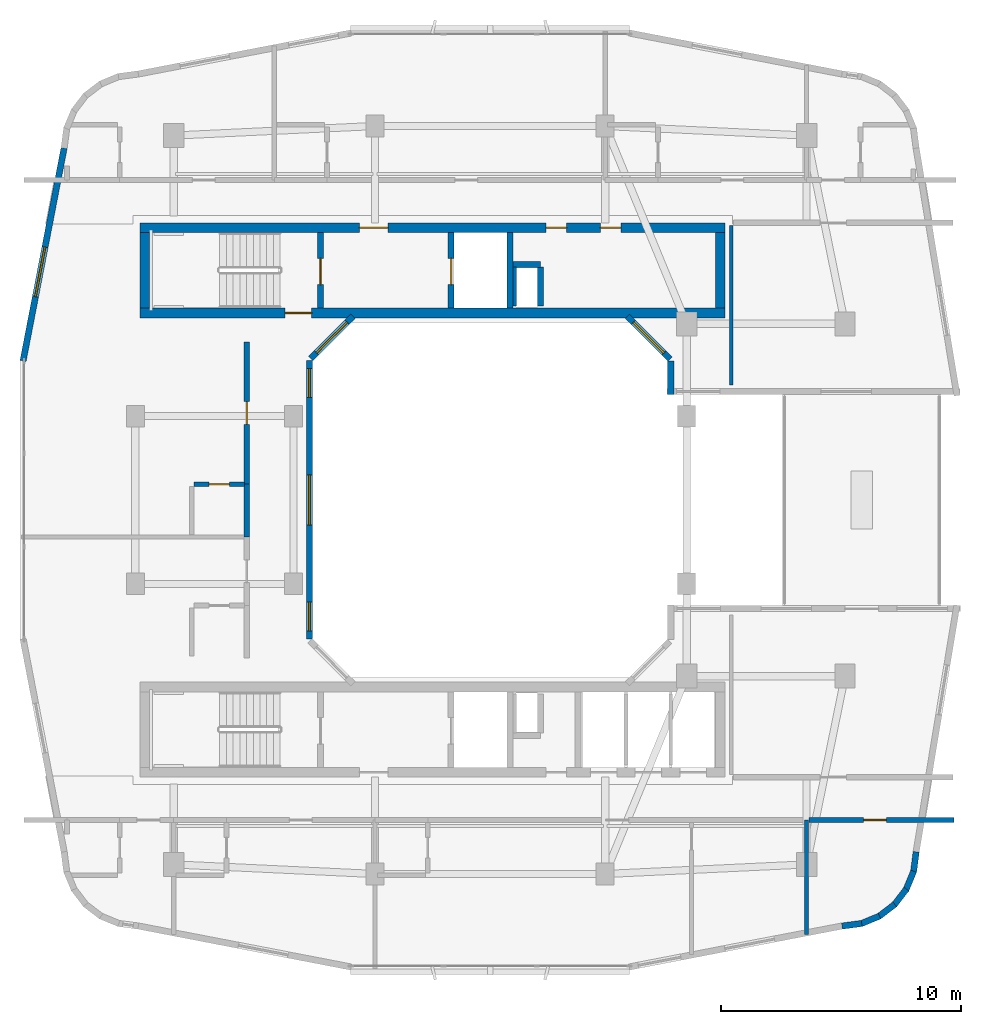
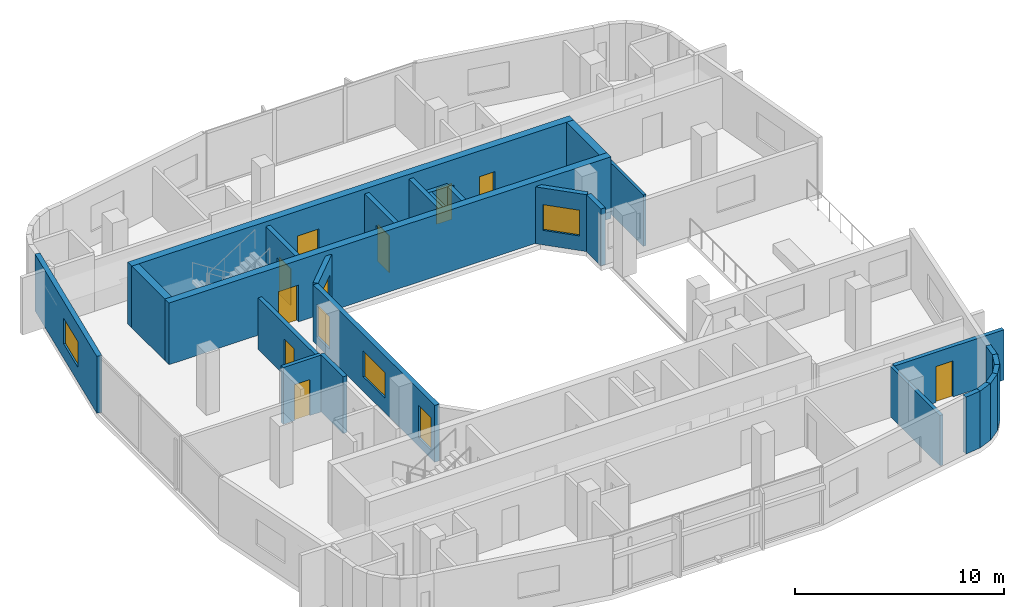
# One storey, part 6 of 12: 27 walls, 9 doors, 6 windows, 15 openings.
"""IFC4 building model written with IfcOpenShell, lengths in metres."""

from ifc_helpers import new_model, si_unit, derived_unit, direction, frame, frame_2d, origin, place, context, subcontext, project, spatial, rectangle, extrude, material, layer, layer_set, type_object, element, fill, save


model = new_model("IFC4")

# Units and contexts
model_context = context("Model", 3, precision=1e-05, world=origin(), true_north=direction((0.0, 1.0)))
body_context = subcontext(model_context, "Body", "Model", "MODEL_VIEW")
ifc_project = project(units=[si_unit("LENGTHUNIT", "METRE"), si_unit("AREAUNIT", "SQUARE_METRE"), si_unit("VOLUMEUNIT", "CUBIC_METRE"), si_unit("PLANEANGLEUNIT", "RADIAN"), si_unit("MASSUNIT", "GRAM", prefix="KILO"), derived_unit("THERMALTRANSMITTANCEUNIT", [(si_unit("POWERUNIT", "WATT"), 1), (si_unit("LENGTHUNIT", "METRE"), -2), (si_unit("THERMODYNAMICTEMPERATUREUNIT", "KELVIN"), -1)])], contexts=[model_context])

# Site, building, storey
site_placement = place(None, origin())
site = spatial("IfcSite", under=ifc_project, at=site_placement, CompositionType="ELEMENT")
building_placement = place(site_placement, origin())
building = spatial("IfcBuilding", under=site, at=building_placement, Name="Kivonza Crest Hotel", CompositionType="ELEMENT")
storey_placement = place(building_placement, frame((0.0, 0.0, 177.5)))
storey = spatial("IfcBuildingStorey", under=building, at=storey_placement, Name="L48", CompositionType="ELEMENT", Elevation=177.5)

# Wall
ifc_material_1 = material(Name="High-density acoustic masonry inter-tenancy wall", Category="masonry")
ifc_layer_1 = layer(ifc_material_1, 0.179931640625)
ifc_layer_set_1 = layer_set([ifc_layer_1], Name="High-density acoustic masonry inter-tenancy wall")
wall_type_1 = type_object("IfcWallType", Name="WL-ACOU-180", PredefinedType="SOLIDWALL", material=ifc_layer_set_1)
wall_1_placement = place(storey_placement, frame((34.199951171875, 6.8720703125, 0.0), z_axis=(0.0, 0.0, 1.0), x_axis=(0.0, 1.0, 0.0)))
element("IfcWall", 1, at=wall_1_placement, inside=storey, type_object=wall_type_1, Name="L48 interior partition WA-L48-T1S-DIV3", PredefinedType="SOLIDWALL", context=body_context, shape_type="SweptSolid", body=[
    extrude(rectangle(XDim=4.77783203125, YDim=0.179931640625, at=frame_2d((2.388916015625, 0.0))), origin(), (0.0, 0.0, 1.0), 2.93505859375),
])

# Wall, opening, door
ifc_material_2 = material(Name="Autoclaved aerated concrete blockwork", Category="masonry")
ifc_layer_2 = layer(ifc_material_2, 0.219970703125)
ifc_layer_set_2 = layer_set([ifc_layer_2], Name="Autoclaved aerated concrete blockwork")
wall_type_2 = type_object("IfcWallType", Name="WL-ACOU-220", PredefinedType="SOLIDWALL", material=ifc_layer_set_2)
wall_2_placement = place(storey_placement, frame((34.300048828125, 11.64990234375, 0.0), z_axis=(0.0, 0.0, 1.0), x_axis=(1.0, 0.0, 0.0)))
wall_2 = element("IfcWall", 2, at=wall_2_placement, inside=storey, type_object=wall_type_2, Name="L48 interior partition WA-L48-BUS-MTG-N", PredefinedType="SOLIDWALL", context=body_context, shape_type="SweptSolid", body=[
    extrude(rectangle(XDim=6.0400390625, YDim=0.219970703125, at=frame_2d((3.02001953125, 0.0))), origin(), (0.0, 0.0, 1.0), 2.93505859375),
])
opening_1_placement = place(wall_2_placement, frame((2.280029296875, 0.0, 0.0)))
opening_1 = element("IfcOpeningElement", 3, at=opening_1_placement, cuts=wall_2, Name="Opening DF-60S", PredefinedType="OPENING", context=body_context, shape_type="SweptSolid", body=[
    extrude(rectangle(XDim=0.949951171875, YDim=2.10009765625, at=frame_2d((0.47509765625, 1.050048828125))), frame((0.0, 0.1201171875, 0.0), z_axis=(0.0, -1.0, 0.0), x_axis=(1.0, 0.0, 0.0)), (0.0, 0.0, 1.0), 0.239990234375),
])
ifc_material_3 = material(Name="Hardwood timber oak", Category="wood")
door_type_1 = type_object("IfcDoorType", Name="DR-FD60-950", OperationType="NOTDEFINED", PredefinedType="DOOR", material=ifc_material_3)
door_1_placement = place(opening_1_placement, frame((0.949951171875, 0.0, 0.0), z_axis=(0.0, 0.0, 1.0), x_axis=(-1.0, 0.0, 0.0)))
door_1 = element("IfcDoor", 4, at=door_1_placement, inside=storey, type_object=door_type_1, Name="L48 Guest Business Office door", OperationType="SINGLE_SWING_RIGHT", OverallHeight=2.10009765625, OverallWidth=0.949951171875, PredefinedType="DOOR", context=body_context, shape_type="SweptSolid", body=[
    extrude(rectangle(XDim=0.949951171875, YDim=2.10009765625, at=frame_2d((0.47509765625, 1.050048828125))), frame((0.0, 0.02490234375, 0.0), z_axis=(0.0, -1.0, 0.0), x_axis=(1.0, 0.0, 0.0)), (0.0, 0.0, 1.0), 0.050048828125),
])
fill(opening_1, door_1)

# Wall
wall_3_placement = place(storey_placement, frame((10.85009765625, 23.4599609375, 0.0), z_axis=(0.0, 0.0, 1.0), x_axis=(0.0, 1.0, 0.0)))
element("IfcWall", 5, at=wall_3_placement, inside=storey, type_object=wall_type_2, Name="L48 interior partition WA-L48-W09-BCORR", PredefinedType="SOLIDWALL", context=body_context, shape_type="SweptSolid", body=[
    extrude(rectangle(XDim=2.199951171875, YDim=0.219970703125, at=frame_2d((1.10009765625, 0.0))), origin(), (0.0, 0.0, 1.0), 3.320068359375),
])

# Wall, opening, door
wall_4_placement = place(storey_placement, frame((10.85009765625, 25.659912109375, 0.0), z_axis=(0.0, 0.0, 1.0), x_axis=(0.0, 1.0, 0.0)))
wall_4 = element("IfcWall", 6, at=wall_4_placement, inside=storey, type_object=wall_type_2, Name="L48 interior partition WA-L48-W09-MCORR", PredefinedType="SOLIDWALL", context=body_context, shape_type="SweptSolid", body=[
    extrude(rectangle(XDim=5.940185546875, YDim=0.219970703125, at=frame_2d((2.97021484375, 0.0))), origin(), (0.0, 0.0, 1.0), 2.9951171875),
])
opening_2_placement = place(wall_4_placement, frame((2.4951171875, 0.0, 0.0)))
opening_2 = element("IfcOpeningElement", 7, at=opening_2_placement, cuts=wall_4, Name="Opening DU-60", PredefinedType="OPENING", context=body_context, shape_type="SweptSolid", body=[
    extrude(rectangle(XDim=0.949951171875, YDim=2.10009765625, at=frame_2d((0.47509765625, 1.050048828125))), frame((0.0, 0.1201171875, 0.0), z_axis=(0.0, -1.0, 0.0), x_axis=(1.0, 0.0, 0.0)), (0.0, 0.0, 1.0), 0.239990234375),
])
door_type_2 = type_object("IfcDoorType", Name="DR-UNIT-950", OperationType="NOTDEFINED", PredefinedType="DOOR", material=ifc_material_3)
door_2_placement = place(opening_2_placement, origin())
door_2 = element("IfcDoor", 8, at=door_2_placement, inside=storey, type_object=door_type_2, Name="L48 W09 guest unit entrance fire door", OperationType="SINGLE_SWING_LEFT", OverallHeight=2.10009765625, OverallWidth=0.949951171875, PredefinedType="DOOR", context=body_context, shape_type="SweptSolid", body=[
    extrude(rectangle(XDim=0.949951171875, YDim=2.10009765625, at=frame_2d((0.47509765625, 1.050048828125))), frame((0.0, 0.02490234375, 0.0), z_axis=(0.0, -1.0, 0.0), x_axis=(1.0, 0.0, 0.0)), (0.0, 0.0, 1.0), 0.050048828125),
])
fill(opening_2, door_2)

ifc_material_4 = material(Name="Concrete C50/60", Category="concrete")
ifc_layer_3 = layer(ifc_material_4, 0.39990234375)
ifc_layer_set_3 = layer_set([ifc_layer_3], Name="Concrete C50/60")
wall_type_3 = type_object("IfcWallType", Name="WL-CORE-400", PredefinedType="SHEAR", material=ifc_layer_set_3)
wall_5_placement = place(storey_placement, frame((6.39990234375, 32.800048828125, 0.0), z_axis=(0.0, 0.0, 1.0), x_axis=(1.0, 0.0, 0.0)))
wall_5 = element("IfcWall", 9, at=wall_5_placement, inside=storey, type_object=wall_type_3, Name="Core wall T1-N South L48", PredefinedType="SHEAR", context=body_context, shape_type="SweptSolid", body=[
    extrude(rectangle(XDim=24.400146484375, YDim=0.39990234375, at=frame_2d((12.2001953125, 0.0))), origin(), (0.0, 0.0, 1.0), 3.60009765625),
])
opening_3_placement = place(wall_5_placement, frame((6.050048828125, 0.0, 0.0)))
opening_3 = element("IfcOpeningElement", 10, at=opening_3_placement, cuts=wall_5, Name="Opening DF-120", PredefinedType="OPENING", context=body_context, shape_type="SweptSolid", body=[
    extrude(rectangle(XDim=1.10009765625, YDim=2.14990234375, at=frame_2d((0.550048828125, 1.074951171875))), frame((0.0, 0.2099609375, 0.0), z_axis=(0.0, -1.0, 0.0), x_axis=(1.0, 0.0, 0.0)), (0.0, 0.0, 1.0), 0.419921875),
])
ifc_material_5 = material(Name="Galvanised steel", Category="steel")
door_type_3 = type_object("IfcDoorType", Name="DR-FD120-1100", OperationType="NOTDEFINED", PredefinedType="DOOR", material=ifc_material_5)
door_3_placement = place(opening_3_placement, origin())
door_3 = element("IfcDoor", 11, at=door_3_placement, inside=storey, type_object=door_type_3, Name="L48 West corridor stair access fire door", OperationType="SINGLE_SWING_LEFT", OverallHeight=2.14990234375, OverallWidth=1.10009765625, PredefinedType="DOOR", context=body_context, shape_type="SweptSolid", body=[
    extrude(rectangle(XDim=1.10009765625, YDim=2.14990234375, at=frame_2d((0.550048828125, 1.074951171875))), frame((0.0, 0.02490234375, 0.0), z_axis=(0.0, -1.0, 0.0), x_axis=(1.0, 0.0, 0.0)), (0.0, 0.0, 1.0), 0.050048828125),
])
fill(opening_3, door_3)

# Wall, openings, doors
wall_6_placement = place(storey_placement, frame((6.39990234375, 36.360107421875, 0.0), z_axis=(0.0, 0.0, 1.0), x_axis=(1.0, 0.0, 0.0)))
wall_6 = element("IfcWall", 12, at=wall_6_placement, inside=storey, type_object=wall_type_3, Name="Core wall T1-N North L48", PredefinedType="SHEAR", context=body_context, shape_type="SweptSolid", body=[
    extrude(rectangle(XDim=24.400146484375, YDim=0.39990234375, at=frame_2d((12.2001953125, 0.0))), origin(), (0.0, 0.0, 1.0), 3.60009765625),
])
opening_4_placement = place(wall_6_placement, frame((9.14990234375, 0.0, 0.0)))
opening_4 = element("IfcOpeningElement", 13, at=opening_4_placement, cuts=wall_6, Name="Opening DF-60", PredefinedType="OPENING", context=body_context, shape_type="SweptSolid", body=[
    extrude(rectangle(XDim=1.199951171875, YDim=2.14990234375, at=frame_2d((0.60009765625, 1.074951171875))), frame((0.0, 0.2099609375, 0.0), z_axis=(0.0, -1.0, 0.0), x_axis=(1.0, 0.0, 0.0)), (0.0, 0.0, 1.0), 0.419921875),
])
opening_5_placement = place(wall_6_placement, frame((19.199951171875, 0.0, 0.0)))
opening_5 = element("IfcOpeningElement", 14, at=opening_5_placement, cuts=wall_6, Name="Opening DF-60R", PredefinedType="OPENING", context=body_context, shape_type="SweptSolid", body=[
    extrude(rectangle(XDim=0.85009765625, YDim=2.10009765625, at=frame_2d((0.425048828125, 1.050048828125))), frame((0.0, 0.2099609375, 0.0), z_axis=(0.0, -1.0, 0.0), x_axis=(1.0, 0.0, 0.0)), (0.0, 0.0, 1.0), 0.419921875),
])
opening_6_placement = place(wall_6_placement, frame((16.93994140625, 0.0, 0.0)))
opening_6 = element("IfcOpeningElement", 15, at=opening_6_placement, cuts=wall_6, Name="Opening DF-60R", PredefinedType="OPENING", context=body_context, shape_type="SweptSolid", body=[
    extrude(rectangle(XDim=0.85009765625, YDim=2.10009765625, at=frame_2d((0.425048828125, 1.050048828125))), frame((0.0, 0.2099609375, 0.0), z_axis=(0.0, -1.0, 0.0), x_axis=(1.0, 0.0, 0.0)), (0.0, 0.0, 1.0), 0.419921875),
])
door_type_4 = type_object("IfcDoorType", Name="DR-FD60-1200", OperationType="NOTDEFINED", PredefinedType="DOOR", material=ifc_material_3)
door_4_placement = place(opening_4_placement, origin())
door_4 = element("IfcDoor", 16, at=door_4_placement, inside=storey, type_object=door_type_4, Name="L48 T1-N firefighting lobby fire door", OperationType="SINGLE_SWING_RIGHT", OverallHeight=2.14990234375, OverallWidth=1.199951171875, PredefinedType="DOOR", context=body_context, shape_type="SweptSolid", body=[
    extrude(rectangle(XDim=1.199951171875, YDim=2.14990234375, at=frame_2d((0.60009765625, 1.074951171875))), frame((0.0, 0.02490234375, 0.0), z_axis=(0.0, -1.0, 0.0), x_axis=(1.0, 0.0, 0.0)), (0.0, 0.0, 1.0), 0.050048828125),
])
fill(opening_4, door_4)
door_type_5 = type_object("IfcDoorType", Name="DR-FD60-850", OperationType="NOTDEFINED", PredefinedType="DOOR", material=ifc_material_3)
door_5_placement = place(opening_5_placement, origin())
door_5 = element("IfcDoor", 17, at=door_5_placement, inside=storey, type_object=door_type_5, Name="L48 T1-N reclaimed core service door", OperationType="SINGLE_SWING_LEFT", OverallHeight=2.10009765625, OverallWidth=0.85009765625, PredefinedType="DOOR", context=body_context, shape_type="SweptSolid", body=[
    extrude(rectangle(XDim=0.85009765625, YDim=2.10009765625, at=frame_2d((0.425048828125, 1.050048828125))), frame((0.0, 0.02490234375, 0.0), z_axis=(0.0, -1.0, 0.0), x_axis=(1.0, 0.0, 0.0)), (0.0, 0.0, 1.0), 0.050048828125),
])
fill(opening_5, door_5)
door_6_placement = place(opening_6_placement, origin())
door_6 = element("IfcDoor", 18, at=door_6_placement, inside=storey, type_object=door_type_5, Name="L48 T1-N core room door", OperationType="SINGLE_SWING_RIGHT", OverallHeight=2.10009765625, OverallWidth=0.85009765625, PredefinedType="DOOR", context=body_context, shape_type="SweptSolid", body=[
    extrude(rectangle(XDim=0.85009765625, YDim=2.10009765625, at=frame_2d((0.425048828125, 1.050048828125))), frame((0.0, 0.02490234375, 0.0), z_axis=(0.0, -1.0, 0.0), x_axis=(1.0, 0.0, 0.0)), (0.0, 0.0, 1.0), 0.050048828125),
])
fill(opening_6, door_6)

# Walls
for number, where, z_axis, x_axis, name in (
    (19, (6.60009765625, 33.0, 0.0), (0.0, 0.0, 1.0), (0.0, 1.0, 0.0), "Core wall T1-N West L48"),
    (20, (30.60009765625, 33.0, 0.0), (0.0, 0.0, 1.0), (0.0, 1.0, 0.0), "Core wall T1-N East L48"),
):
    element("IfcWall", number, at=place(storey_placement, frame(where, z_axis=z_axis, x_axis=x_axis)), inside=storey, type_object=wall_type_3, Name=name, PredefinedType="SHEAR", context=body_context, shape_type="SweptSolid", body=[
        extrude(rectangle(XDim=3.159912109375, YDim=0.39990234375, at=frame_2d((1.580078125, 0.0))), origin(), (0.0, 0.0, 1.0), 3.60009765625),
    ])
ifc_material_6 = material(Name="Precast concrete C40/50", Category="concrete")
ifc_layer_4 = layer(ifc_material_6, 0.260009765625)
ifc_layer_set_4 = layer_set([ifc_layer_4], Name="Precast concrete C40/50")
wall_type_4 = type_object("IfcWallType", Name="WL-EXT-260", PredefinedType="STANDARD", material=ifc_layer_set_4)
wall_7_placement = place(storey_placement, frame((35.675048828125, 7.22802734375, 0.0), z_axis=(0.0, 0.0, 1.0), x_axis=(0.99142134712, 0.130704676564, 0.0)))
element("IfcWall", 21, at=wall_7_placement, inside=storey, type_object=wall_type_4, Name="L48 T1 exterior insulated wall 10", PredefinedType="STANDARD", context=body_context, shape_type="SweptSolid", body=[
    extrude(rectangle(XDim=0.8330078125, YDim=0.260009765625, at=frame_2d((0.41650390625, 0.0))), origin(), (0.0, 0.0, 1.0), 3.320068359375),
])
wall_8_placement = place(storey_placement, frame((36.455078125, 7.319091796875, 0.0), z_axis=(0.0, 0.0, 1.0), x_axis=(0.923712395518, 0.383086687796, 0.0)))
element("IfcWall", 22, at=wall_8_placement, inside=storey, type_object=wall_type_4, Name="L48 T1 exterior insulated wall 11", PredefinedType="STANDARD", context=body_context, shape_type="SweptSolid", body=[
    extrude(rectangle(XDim=0.850830078125, YDim=0.260009765625, at=frame_2d((0.42529296875, 0.0))), origin(), (0.0, 0.0, 1.0), 3.320068359375),
])
for number, where, z_axis, x_axis, name in (
    (23, (37.200927734375, 7.616943359375, 0.0), (0.0, 0.0, 1.0), (0.793860452124, 0.608099977432, 0.0), "L48 T1 exterior insulated wall 12"),
    (24, (37.844970703125, 8.095947265625, 0.0), (0.0, 0.0, 1.0), (0.608099977432, 0.793860452124, 0.0), "L48 T1 exterior insulated wall 13"),
):
    element("IfcWall", number, at=place(storey_placement, frame(where, z_axis=z_axis, x_axis=x_axis)), inside=storey, type_object=wall_type_4, Name=name, PredefinedType="STANDARD", context=body_context, shape_type="SweptSolid", body=[
        extrude(rectangle(XDim=0.850341796875, YDim=0.260009765625, at=frame_2d((0.42529296875, 0.0))), origin(), (0.0, 0.0, 1.0), 3.320068359375),
    ])
wall_9_placement = place(storey_placement, frame((38.341064453125, 8.72705078125, 0.0), z_axis=(0.0, 0.0, 1.0), x_axis=(0.383086687796, 0.923712395518, 0.0)))
element("IfcWall", 25, at=wall_9_placement, inside=storey, type_object=wall_type_4, Name="L48 T1 exterior insulated wall 14", PredefinedType="STANDARD", context=body_context, shape_type="SweptSolid", body=[
    extrude(rectangle(XDim=0.850830078125, YDim=0.260009765625, at=frame_2d((0.42529296875, 0.0))), origin(), (0.0, 0.0, 1.0), 3.320068359375),
])
wall_10_placement = place(storey_placement, frame((38.658935546875, 9.464111328125, 0.0), z_axis=(0.0, 0.0, 1.0), x_axis=(0.130192647656, 0.991488716273, 0.0)))
element("IfcWall", 26, at=wall_10_placement, inside=storey, type_object=wall_type_4, Name="L48 T1 exterior insulated wall 15", PredefinedType="STANDARD", context=body_context, shape_type="SweptSolid", body=[
    extrude(rectangle(XDim=0.8681640625, YDim=0.260009765625, at=frame_2d((0.43408203125, 0.0))), origin(), (0.0, 0.0, 1.0), 3.320068359375),
])

# Wall, openings, windows
wall_11_placement = place(storey_placement, frame((13.469970703125, 19.2099609375, 0.0), z_axis=(0.0, 0.0, 1.0), x_axis=(0.0, 1.0, 0.0)))
wall_11 = element("IfcWall", 27, at=wall_11_placement, inside=storey, type_object=wall_type_4, Name="L48 T1 exterior insulated wall 22", PredefinedType="STANDARD", context=body_context, shape_type="SweptSolid", body=[
    extrude(rectangle(XDim=11.614990234375, YDim=0.260009765625, at=frame_2d((5.8076171875, 0.0))), origin(), (0.0, 0.0, 1.0), 3.320068359375),
])
opening_7_placement = place(wall_11_placement, frame((0.330078125, 0.0, 0.5)))
opening_7 = element("IfcOpeningElement", 28, at=opening_7_placement, cuts=wall_11, Name="Opening WN-06", PredefinedType="OPENING", context=body_context, shape_type="SweptSolid", body=[
    extrude(rectangle(XDim=1.199951171875, YDim=1.89990234375, at=frame_2d((0.60009765625, 0.949951171875))), frame((0.0, 0.14013671875, 0.0), z_axis=(0.0, -1.0, 0.0), x_axis=(1.0, 0.0, 0.0)), (0.0, 0.0, 1.0), 0.280029296875),
])
opening_8_placement = place(wall_11_placement, frame((4.739990234375, 0.0, 0.85009765625)))
opening_8 = element("IfcOpeningElement", 29, at=opening_8_placement, cuts=wall_11, Name="Opening WN-04", PredefinedType="OPENING", context=body_context, shape_type="SweptSolid", body=[
    extrude(rectangle(XDim=2.10009765625, YDim=1.5, at=frame_2d((1.050048828125, 0.75))), frame((0.0, 0.14013671875, 0.0), z_axis=(0.0, -1.0, 0.0), x_axis=(1.0, 0.0, 0.0)), (0.0, 0.0, 1.0), 0.280029296875),
])
opening_9_placement = place(wall_11_placement, frame((10.06689453125, 0.0, 0.5)))
opening_9 = element("IfcOpeningElement", 30, at=opening_9_placement, cuts=wall_11, Name="Opening WN-06", PredefinedType="OPENING", context=body_context, shape_type="SweptSolid", body=[
    extrude(rectangle(XDim=1.199951171875, YDim=1.89990234375, at=frame_2d((0.60009765625, 0.949951171875))), frame((0.0, 0.14013671875, 0.0), z_axis=(0.0, -1.0, 0.0), x_axis=(1.0, 0.0, 0.0)), (0.0, 0.0, 1.0), 0.280029296875),
])
ifc_material_7 = material(Name="Thermally broken bronze aluminium and low-E double glazing", Category="aluminium")
window_type_1 = type_object("IfcWindowType", Name="WN-120x190", PartitioningType="SINGLE_PANEL", PredefinedType="WINDOW", material=ifc_material_7)
window_1_placement = place(opening_7_placement, origin())
window_1 = element("IfcWindow", 31, at=window_1_placement, inside=storey, type_object=window_type_1, Name="L48 T1 facade window 22 bay 1", OverallHeight=1.89990234375, OverallWidth=1.199951171875, PartitioningType="SINGLE_PANEL", PredefinedType="WINDOW", context=body_context, shape_type="SweptSolid", body=[
    extrude(rectangle(XDim=1.199951171875, YDim=1.89990234375, at=frame_2d((0.60009765625, 0.949951171875))), frame((0.0, 0.030029296875, 0.0), z_axis=(0.0, -1.0, 0.0), x_axis=(1.0, 0.0, 0.0)), (0.0, 0.0, 1.0), 0.06005859375),
])
fill(opening_7, window_1)
window_2_placement = place(opening_9_placement, origin())
window_2 = element("IfcWindow", 32, at=window_2_placement, inside=storey, type_object=window_type_1, Name="L48 T1 facade window 22 bay 3", OverallHeight=1.89990234375, OverallWidth=1.199951171875, PartitioningType="SINGLE_PANEL", PredefinedType="WINDOW", context=body_context, shape_type="SweptSolid", body=[
    extrude(rectangle(XDim=1.199951171875, YDim=1.89990234375, at=frame_2d((0.60009765625, 0.949951171875))), frame((0.0, 0.030029296875, 0.0), z_axis=(0.0, -1.0, 0.0), x_axis=(1.0, 0.0, 0.0)), (0.0, 0.0, 1.0), 0.06005859375),
])
fill(opening_9, window_2)
window_type_2 = type_object("IfcWindowType", Name="WN-210x150", PartitioningType="DOUBLE_PANEL_VERTICAL", PredefinedType="WINDOW", material=ifc_material_7)
window_3_placement = place(opening_8_placement, origin())
window_3 = element("IfcWindow", 33, at=window_3_placement, inside=storey, type_object=window_type_2, Name="L48 T1 facade window 22 bay 2", OverallHeight=1.5, OverallWidth=2.10009765625, PartitioningType="SINGLE_PANEL", PredefinedType="WINDOW", context=body_context, shape_type="SweptSolid", body=[
    extrude(rectangle(XDim=2.10009765625, YDim=1.5, at=frame_2d((1.050048828125, 0.75))), frame((0.0, 0.030029296875, 0.0), z_axis=(0.0, -1.0, 0.0), x_axis=(1.0, 0.0, 0.0)), (0.0, 0.0, 1.0), 0.06005859375),
])
fill(opening_8, window_3)

# Wall, opening, window
wall_12_placement = place(storey_placement, frame((13.514892578125, 30.89892578125, 0.0), z_axis=(0.0, 0.0, 1.0), x_axis=(0.707106781187, 0.707106781187, 0.0)))
wall_12 = element("IfcWall", 34, at=wall_12_placement, inside=storey, type_object=wall_type_4, Name="L48 T1 exterior insulated wall 23", PredefinedType="STANDARD", context=body_context, shape_type="SweptSolid", body=[
    extrude(rectangle(XDim=2.493408203125, YDim=0.260009765625, at=frame_2d((1.24658203125, 0.0))), origin(), (0.0, 0.0, 1.0), 3.320068359375),
])
opening_10_placement = place(wall_12_placement, frame((0.346923828125, 0.0, 0.85009765625)))
opening_10 = element("IfcOpeningElement", 35, at=opening_10_placement, cuts=wall_12, Name="Opening WN-03", PredefinedType="OPENING", context=body_context, shape_type="SweptSolid", body=[
    extrude(rectangle(XDim=1.800048828125, YDim=1.5, at=frame_2d((0.89990234375, 0.75))), frame((0.0, 0.14013671875, 0.0), z_axis=(0.0, -1.0, 0.0), x_axis=(1.0, 0.0, 0.0)), (0.0, 0.0, 1.0), 0.280029296875),
])
window_type_3 = type_object("IfcWindowType", Name="WN-180x150", PartitioningType="DOUBLE_PANEL_VERTICAL", PredefinedType="WINDOW", material=ifc_material_7)
window_4_placement = place(opening_10_placement, origin())
window_4 = element("IfcWindow", 36, at=window_4_placement, inside=storey, type_object=window_type_3, Name="L48 T1 facade window 23", OverallHeight=1.5, OverallWidth=1.800048828125, PartitioningType="SINGLE_PANEL", PredefinedType="WINDOW", context=body_context, shape_type="SweptSolid", body=[
    extrude(rectangle(XDim=1.800048828125, YDim=1.5, at=frame_2d((0.89990234375, 0.75))), frame((0.0, 0.030029296875, 0.0), z_axis=(0.0, -1.0, 0.0), x_axis=(1.0, 0.0, 0.0)), (0.0, 0.0, 1.0), 0.06005859375),
])
fill(opening_10, window_4)

wall_13_placement = place(storey_placement, frame((26.721923828125, 32.662109375, 0.0), z_axis=(0.0, 0.0, 1.0), x_axis=(0.707106781187, -0.707106781187, 0.0)))
wall_13 = element("IfcWall", 37, at=wall_13_placement, inside=storey, type_object=wall_type_4, Name="L48 T1 exterior insulated wall 25", PredefinedType="STANDARD", context=body_context, shape_type="SweptSolid", body=[
    extrude(rectangle(XDim=2.52880859375, YDim=0.260009765625, at=frame_2d((1.264404296875, 0.0))), origin(), (0.0, 0.0, 1.0), 3.320068359375),
])
opening_11_placement = place(wall_13_placement, frame((0.364013671875, 0.0, 0.85009765625)))
opening_11 = element("IfcOpeningElement", 38, at=opening_11_placement, cuts=wall_13, Name="Opening WN-03", PredefinedType="OPENING", context=body_context, shape_type="SweptSolid", body=[
    extrude(rectangle(XDim=1.800048828125, YDim=1.5, at=frame_2d((0.89990234375, 0.75))), frame((0.0, 0.14013671875, 0.0), z_axis=(0.0, -1.0, 0.0), x_axis=(1.0, 0.0, 0.0)), (0.0, 0.0, 1.0), 0.280029296875),
])
window_5_placement = place(opening_11_placement, origin())
window_5 = element("IfcWindow", 39, at=window_5_placement, inside=storey, type_object=window_type_3, Name="L48 T1 facade window 25", OverallHeight=1.5, OverallWidth=1.800048828125, PartitioningType="SINGLE_PANEL", PredefinedType="WINDOW", context=body_context, shape_type="SweptSolid", body=[
    extrude(rectangle(XDim=1.800048828125, YDim=1.5, at=frame_2d((0.89990234375, 0.75))), frame((0.0, 0.030029296875, 0.0), z_axis=(0.0, -1.0, 0.0), x_axis=(1.0, 0.0, 0.0)), (0.0, 0.0, 1.0), 0.06005859375),
])
fill(opening_11, window_5)

# Wall
wall_14_placement = place(storey_placement, frame((28.530029296875, 30.7900390625, 0.0), z_axis=(0.0, 0.0, 1.0), x_axis=(0.0, -1.0, 0.0)))
element("IfcWall", 40, at=wall_14_placement, inside=storey, type_object=wall_type_4, Name="L48 T1 exterior insulated wall 26", PredefinedType="STANDARD", context=body_context, shape_type="SweptSolid", body=[
    extrude(rectangle(XDim=1.380126953125, YDim=0.260009765625, at=frame_2d((0.68994140625, 0.0))), origin(), (0.0, 0.0, 1.0), 3.320068359375),
])

# Wall, opening, window
wall_15_placement = place(storey_placement, frame((3.22998046875, 39.68310546875, 0.0), z_axis=(0.0, 0.0, 1.0), x_axis=(-0.189254809039, -0.98192801022, 0.0)))
wall_15 = element("IfcWall", 41, at=wall_15_placement, inside=storey, type_object=wall_type_4, Name="L48 T1 exterior insulated wall 44", PredefinedType="STANDARD", context=body_context, shape_type="SweptSolid", body=[
    extrude(rectangle(XDim=9.045654296875, YDim=0.260009765625, at=frame_2d((4.52294921875, 0.0))), origin(), (0.0, 0.0, 1.0), 3.320068359375),
])
opening_12_placement = place(wall_15_placement, frame((4.2119140625, 0.0, 0.85009765625)))
opening_12 = element("IfcOpeningElement", 42, at=opening_12_placement, cuts=wall_15, Name="Opening WN-04", PredefinedType="OPENING", context=body_context, shape_type="SweptSolid", body=[
    extrude(rectangle(XDim=2.10009765625, YDim=1.5, at=frame_2d((1.050048828125, 0.75))), frame((0.0, 0.14013671875, 0.0), z_axis=(0.0, -1.0, 0.0), x_axis=(1.0, 0.0, 0.0)), (0.0, 0.0, 1.0), 0.280029296875),
])
window_6_placement = place(opening_12_placement, origin())
window_6 = element("IfcWindow", 43, at=window_6_placement, inside=storey, type_object=window_type_2, Name="L48 T1 facade window 44", OverallHeight=1.5, OverallWidth=2.10009765625, PartitioningType="SINGLE_PANEL", PredefinedType="WINDOW", context=body_context, shape_type="SweptSolid", body=[
    extrude(rectangle(XDim=2.10009765625, YDim=1.5, at=frame_2d((1.050048828125, 0.75))), frame((0.0, 0.030029296875, 0.0), z_axis=(0.0, -1.0, 0.0), x_axis=(1.0, 0.0, 0.0)), (0.0, 0.0, 1.0), 0.06005859375),
])
fill(opening_12, window_6)

# Walls
ifc_material_8 = material(Name="Concrete blockwork fire-compartment wall", Category="masonry")
ifc_layer_5 = layer(ifc_material_8, 0.25)
ifc_layer_set_5 = layer_set([ifc_layer_5], Name="Concrete blockwork fire-compartment wall")
wall_type_5 = type_object("IfcWallType", Name="WL-FIRE-250", PredefinedType="SOLIDWALL", material=ifc_layer_set_5)
wall_16_placement = place(storey_placement, frame((23.10009765625, 33.10009765625, 0.0), z_axis=(0.0, 0.0, 1.0), x_axis=(0.0, 1.0, 0.0)))
element("IfcWall", 44, at=wall_16_placement, inside=storey, type_object=wall_type_5, Name="L48 interior partition WA-L48-T1-N-MEPR-E", PredefinedType="SOLIDWALL", context=body_context, shape_type="SweptSolid", body=[
    extrude(rectangle(XDim=1.619873046875, YDim=0.25, at=frame_2d((0.81005859375, 0.0))), origin(), (0.0, 0.0, 1.0), 3.320068359375),
])
wall_17_placement = place(storey_placement, frame((21.949951171875, 34.820068359375, 0.0), z_axis=(0.0, 0.0, 1.0), x_axis=(1.0, 0.0, 0.0)))
element("IfcWall", 45, at=wall_17_placement, inside=storey, type_object=wall_type_5, Name="L48 interior partition WA-L48-T1-N-MEPR-H", PredefinedType="SOLIDWALL", context=body_context, shape_type="SweptSolid", body=[
    extrude(rectangle(XDim=1.150146484375, YDim=0.25, at=frame_2d((0.5751953125, 0.0))), origin(), (0.0, 0.0, 1.0), 3.320068359375),
])
ifc_material_9 = material(Name="Twin-stud acoustic gypsum board partition", Category="gypsum")
ifc_layer_6 = layer(ifc_material_9, 0.14990234375)
ifc_layer_set_6 = layer_set([ifc_layer_6], Name="Twin-stud acoustic gypsum board partition")
wall_type_6 = type_object("IfcWallType", Name="WL-PART-150", PredefinedType="PARTITIONING", material=ifc_layer_set_6)
wall_18_placement = place(storey_placement, frame((22.030029296875, 33.10009765625, 0.0), z_axis=(0.0, 0.0, 1.0), x_axis=(0.0, 1.0, 0.0)))
element("IfcWall", 46, at=wall_18_placement, inside=storey, type_object=wall_type_6, Name="L48 interior partition WA-L48-T1-N-MEPR-W", PredefinedType="PARTITIONING", context=body_context, shape_type="SweptSolid", body=[
    extrude(rectangle(XDim=1.619873046875, YDim=0.14990234375, at=frame_2d((0.81005859375, 0.0))), origin(), (0.0, 0.0, 1.0), 3.320068359375),
])
wall_19_placement = place(storey_placement, frame((31.050048828125, 29.800048828125, 0.0), z_axis=(0.0, 0.0, 1.0), x_axis=(0.0, 1.0, 0.0)))
element("IfcWall", 47, at=wall_19_placement, inside=storey, type_object=wall_type_6, Name="L48 interior partition WP-L48-EP2-BW", PredefinedType="PARTITIONING", context=body_context, shape_type="SweptSolid", body=[
    extrude(rectangle(XDim=6.659912109375, YDim=0.14990234375, at=frame_2d((3.330078125, 0.0))), origin(), (0.0, 0.0, 1.0), 2.9951171875),
])

# Wall, opening, door
ifc_material_10 = material(Name="Moisture-resistant plumbing chase partition wall", Category="gypsum")
ifc_layer_7 = layer(ifc_material_10, 0.199951171875)
ifc_layer_set_7 = layer_set([ifc_layer_7], Name="Moisture-resistant plumbing chase partition wall")
wall_type_7 = type_object("IfcWallType", Name="WL-PLUMB-200", PredefinedType="PLUMBINGWALL", material=ifc_layer_set_7)
wall_20_placement = place(storey_placement, frame((8.64990234375, 25.659912109375, 0.0), z_axis=(0.0, 0.0, 1.0), x_axis=(1.0, 0.0, 0.0)))
wall_20 = element("IfcWall", 48, at=wall_20_placement, inside=storey, type_object=wall_type_7, Name="L48 interior partition WW-L48-W09-BH", PredefinedType="PLUMBINGWALL", context=body_context, shape_type="SweptSolid", body=[
    extrude(rectangle(XDim=2.10009765625, YDim=0.199951171875, at=frame_2d((1.050048828125, 0.0))), origin(), (0.0, 0.0, 1.0), 3.320068359375),
])
opening_13_placement = place(wall_20_placement, frame((0.625, 0.0, 0.0)))
opening_13 = element("IfcOpeningElement", 49, at=opening_13_placement, cuts=wall_20, Name="Opening DI-85", PredefinedType="OPENING", context=body_context, shape_type="SweptSolid", body=[
    extrude(rectangle(XDim=0.85009765625, YDim=2.10009765625, at=frame_2d((0.425048828125, 1.050048828125))), frame((0.0, 0.10986328125, 0.0), z_axis=(0.0, -1.0, 0.0), x_axis=(1.0, 0.0, 0.0)), (0.0, 0.0, 1.0), 0.219970703125),
])
door_type_6 = type_object("IfcDoorType", Name="DR-INT-850", OperationType="NOTDEFINED", PredefinedType="DOOR", material=ifc_material_3)
door_7_placement = place(opening_13_placement, origin())
door_7 = element("IfcDoor", 50, at=door_7_placement, inside=storey, type_object=door_type_6, Name="L48 W09 en-suite bathroom door", OperationType="SINGLE_SWING_RIGHT", OverallHeight=2.10009765625, OverallWidth=0.85009765625, PredefinedType="DOOR", context=body_context, shape_type="SweptSolid", body=[
    extrude(rectangle(XDim=0.85009765625, YDim=2.10009765625, at=frame_2d((0.425048828125, 1.050048828125))), frame((0.0, 0.02490234375, 0.0), z_axis=(0.0, -1.0, 0.0), x_axis=(1.0, 0.0, 0.0)), (0.0, 0.0, 1.0), 0.050048828125),
])
fill(opening_13, door_7)

ifc_layer_8 = layer(ifc_material_4, 0.25)
ifc_layer_set_8 = layer_set([ifc_layer_8], Name="Concrete C50/60")
wall_type_8 = type_object("IfcWallType", Name="WL-SHAFT-250", PredefinedType="STANDARD", material=ifc_layer_set_8)
wall_21_placement = place(storey_placement, frame((13.925048828125, 33.0, 0.0), z_axis=(0.0, 0.0, 1.0), x_axis=(0.0, 1.0, 0.0)))
wall_21 = element("IfcWall", 51, at=wall_21_placement, inside=storey, type_object=wall_type_8, Name="Core shaft wall T1-N STAIR L48", PredefinedType="STANDARD", context=body_context, shape_type="SweptSolid", body=[
    extrude(rectangle(XDim=3.159912109375, YDim=0.25, at=frame_2d((1.580078125, 0.0))), origin(), (0.0, 0.0, 1.0), 3.320068359375),
])
opening_14_placement = place(wall_21_placement, frame((0.97998046875, 0.0, 0.0)))
opening_14 = element("IfcOpeningElement", 52, at=opening_14_placement, cuts=wall_21, Name="Opening DF-120", PredefinedType="OPENING", context=body_context, shape_type="SweptSolid", body=[
    extrude(rectangle(XDim=1.10009765625, YDim=2.14990234375, at=frame_2d((0.550048828125, 1.074951171875))), frame((0.0, 0.135009765625, 0.0), z_axis=(0.0, -1.0, 0.0), x_axis=(1.0, 0.0, 0.0)), (0.0, 0.0, 1.0), 0.27001953125),
])
door_8_placement = place(opening_14_placement, frame((1.10009765625, 0.0, 0.0), z_axis=(0.0, 0.0, 1.0), x_axis=(-1.0, 0.0, 0.0)))
door_8 = element("IfcDoor", 53, at=door_8_placement, inside=storey, type_object=door_type_3, Name="L48 T1-N stair fire door", OperationType="SINGLE_SWING_LEFT", OverallHeight=2.14990234375, OverallWidth=1.10009765625, PredefinedType="DOOR", context=body_context, shape_type="SweptSolid", body=[
    extrude(rectangle(XDim=1.10009765625, YDim=2.14990234375, at=frame_2d((0.550048828125, 1.074951171875))), frame((0.0, 0.02490234375, 0.0), z_axis=(0.0, -1.0, 0.0), x_axis=(1.0, 0.0, 0.0)), (0.0, 0.0, 1.0), 0.050048828125),
])
fill(opening_14, door_8)

wall_22_placement = place(storey_placement, frame((19.375, 33.0, 0.0), z_axis=(0.0, 0.0, 1.0), x_axis=(0.0, 1.0, 0.0)))
wall_22 = element("IfcWall", 54, at=wall_22_placement, inside=storey, type_object=wall_type_8, Name="Core shaft wall T1-N FFL-W L48", PredefinedType="STANDARD", context=body_context, shape_type="SweptSolid", body=[
    extrude(rectangle(XDim=3.159912109375, YDim=0.25, at=frame_2d((1.580078125, 0.0))), origin(), (0.0, 0.0, 1.0), 3.320068359375),
])
opening_15_placement = place(wall_22_placement, frame((0.97998046875, 0.0, 0.0)))
opening_15 = element("IfcOpeningElement", 55, at=opening_15_placement, cuts=wall_22, Name="Opening LD-120", PredefinedType="OPENING", context=body_context, shape_type="SweptSolid", body=[
    extrude(rectangle(XDim=1.10009765625, YDim=2.14990234375, at=frame_2d((0.550048828125, 1.074951171875))), frame((0.0, 0.135009765625, 0.0), z_axis=(0.0, -1.0, 0.0), x_axis=(1.0, 0.0, 0.0)), (0.0, 0.0, 1.0), 0.27001953125),
])
ifc_material_11 = material(Name="Stainless steel", Category="steel")
door_type_7 = type_object("IfcDoorType", Name="DR-LD120-1100", OperationType="NOTDEFINED", PredefinedType="DOOR", material=ifc_material_11)
door_9_placement = place(opening_15_placement, origin())
door_9 = element("IfcDoor", 56, at=door_9_placement, inside=storey, type_object=door_type_7, Name="L48 FFL-T1-N firefighting lift sliding landing door", OperationType="DOUBLE_DOOR_SLIDING", OverallHeight=2.14990234375, OverallWidth=1.10009765625, PredefinedType="DOOR", context=body_context, shape_type="SweptSolid", body=[
    extrude(rectangle(XDim=1.10009765625, YDim=2.14990234375, at=frame_2d((0.550048828125, 1.074951171875))), frame((0.0, 0.02490234375, 0.0), z_axis=(0.0, -1.0, 0.0), x_axis=(1.0, 0.0, 0.0)), (0.0, 0.0, 1.0), 0.050048828125),
])
fill(opening_15, door_9)

# Wall
wall_23_placement = place(storey_placement, frame((21.824951171875, 33.0, 0.0), z_axis=(0.0, 0.0, 1.0), x_axis=(0.0, 1.0, 0.0)))
element("IfcWall", 57, at=wall_23_placement, inside=storey, type_object=wall_type_8, Name="Core shaft wall T1-N FFL-E L48", PredefinedType="STANDARD", context=body_context, shape_type="SweptSolid", body=[
    extrude(rectangle(XDim=3.159912109375, YDim=0.25, at=frame_2d((1.580078125, 0.0))), origin(), (0.0, 0.0, 1.0), 3.320068359375),
])

save(model, "model.ifc")
